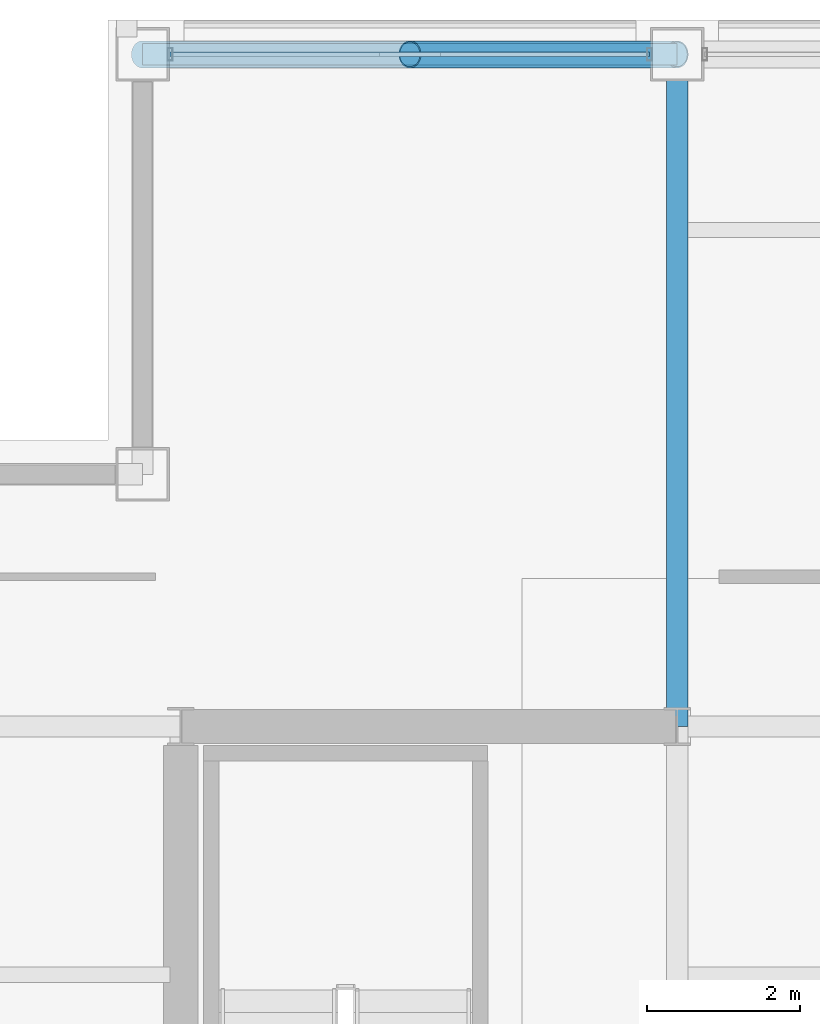
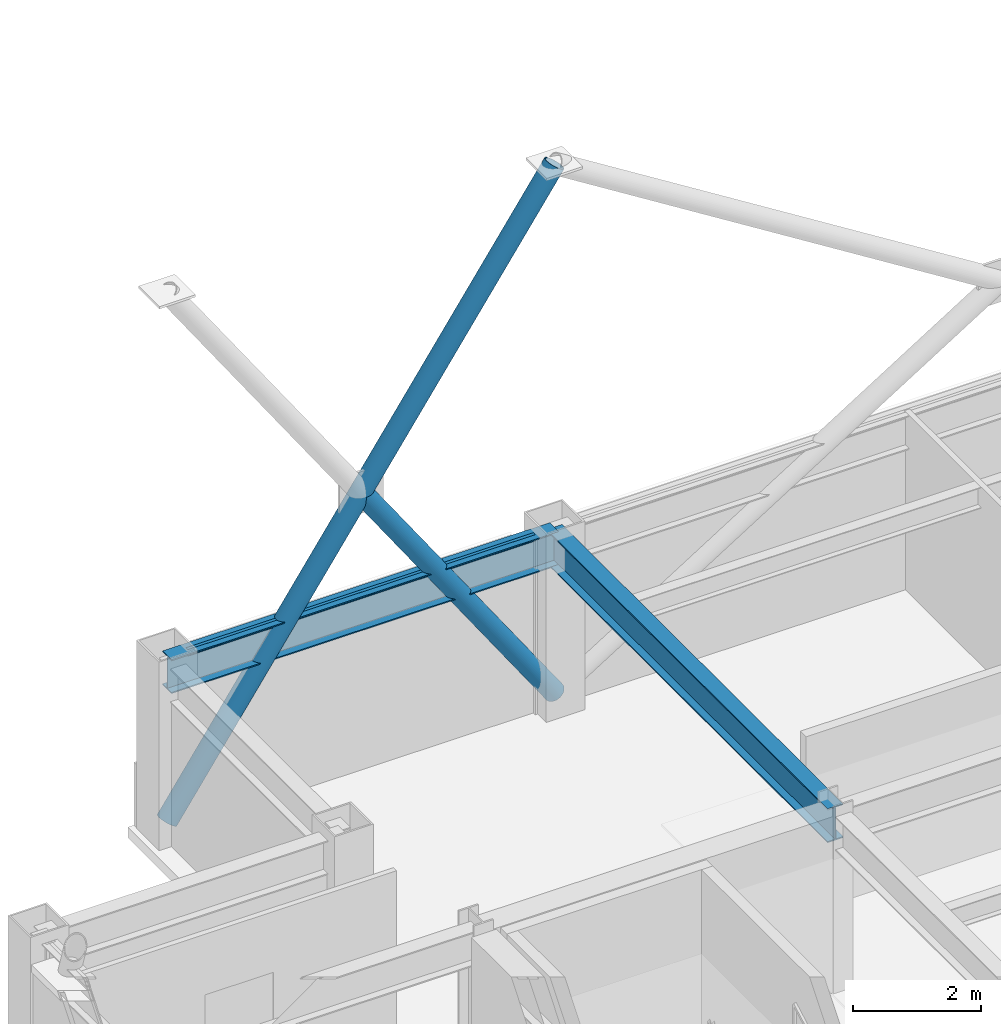
# One storey, part 22 of 33: 3 members, 2 beams, 1 element without a shape of its own.
"""IFC4 building model written with IfcOpenShell, lengths in metres."""

from ifc_helpers import new_model, si_unit, direction, frame, origin, origin_2d, place, context, subcontext, project, spatial, hollow_rectangle, hollow_circle, i_section, extrude, material, layer, layer_set, material_profile, profile_set, type_object, element, aggregate, save


model = new_model("IFC4")

# Units and contexts
model_context = context("Model", 3, precision=1e-05, world=origin(), true_north=direction((0.0, 1.0)))
body_context = subcontext(model_context, "Body", "Model", "MODEL_VIEW")
ifc_project = project(units=[si_unit("LENGTHUNIT", "METRE"), si_unit("AREAUNIT", "SQUARE_METRE"), si_unit("VOLUMEUNIT", "CUBIC_METRE"), si_unit("PLANEANGLEUNIT", "RADIAN"), si_unit("MASSUNIT", "GRAM", prefix="KILO")], contexts=[model_context])

# Site, building, storey
site_placement = place(None, origin())
site = spatial("IfcSite", under=ifc_project, at=site_placement, CompositionType="ELEMENT")
building_placement = place(site_placement, origin())
building = spatial("IfcBuilding", under=site, at=building_placement, Name="Brelmoor Portico Tower", CompositionType="ELEMENT")
storey_placement = place(building_placement, frame((0.0, 0.0, 183.89990234375)))
storey = spatial("IfcBuildingStorey", under=building, at=storey_placement, Name="L48", CompositionType="ELEMENT", Elevation=183.89990234375)

# Beams
ifc_material_1 = material(Name="Steel Q355B", Category="steel")
ifc_material_profile_1 = material_profile(ifc_material_1, i_section(OverallWidth=0.280029296875, OverallDepth=0.64990234375, WebThickness=0.012939453125, FlangeThickness=0.02197265625, at=origin_2d()), Name="HN 650x280x13x22")
ifc_profile_set_1 = profile_set([ifc_material_profile_1], Name="Steel Q355B")
beam_type_1 = type_object("IfcBeamType", Name="BM-PG-650", PredefinedType="BEAM", material=ifc_profile_set_1)
beam_1_placement = place(storey_placement, frame((-8.050048828125, 9.75, 3.0751953125), z_axis=(0.0, 1.0, 0.0), x_axis=(-1.0, 0.0, 0.0)))
element("IfcBeam", 1, at=beam_1_placement, inside=storey, type_object=beam_type_1, Name="L48 Primary Floor Girder PG-05", PredefinedType="BEAM", context=body_context, shape_type="SweptSolid", body=[
    extrude(i_section(OverallWidth=0.280029296875, OverallDepth=0.64990234375, WebThickness=0.012939453125, FlangeThickness=0.02197265625, at=origin_2d()), origin(), (0.0, 0.0, 1.0), 8.800048828125),
])
ifc_material_profile_2 = material_profile(ifc_material_1, i_section(OverallWidth=0.280029296875, OverallDepth=0.64990234375, WebThickness=0.012939453125, FlangeThickness=0.02197265625, at=origin_2d()), Name="HN 650x280x13x22")
ifc_profile_set_2 = profile_set([ifc_material_profile_2], Name="Steel Q355B")
beam_type_2 = type_object("IfcBeamType", Name="BM-SP-650", PredefinedType="SPANDREL", material=ifc_profile_set_2)
beam_2_placement = place(storey_placement, frame((-15.050048828125, 18.550048828125, 3.0751953125), z_axis=(1.0, 0.0, 0.0), x_axis=(0.0, 1.0, 0.0)))
element("IfcBeam", 2, at=beam_2_placement, inside=storey, type_object=beam_type_2, Name="L48 Perimeter Spandrel Beam SP-08", PredefinedType="SPANDREL", context=body_context, shape_type="SweptSolid", body=[
    extrude(i_section(OverallWidth=0.280029296875, OverallDepth=0.64990234375, WebThickness=0.012939453125, FlangeThickness=0.02197265625, at=origin_2d()), origin(), (0.0, 0.0, 1.0), 7.0),
])

# Members
ifc_material_profile_3 = material_profile(ifc_material_1, hollow_circle(Radius=0.177978515625, WallThickness=0.01611328125, at=origin_2d()), Name="CHS 356x16")
ifc_profile_set_3 = profile_set([ifc_material_profile_3], Name="Steel Q355B")
member_type_1 = type_object("IfcMemberType", Name="MB-BELT-DIAG2", PredefinedType="BRACE", material=ifc_profile_set_3)
member_1_placement = place(storey_placement, frame((-15.050048828125, 18.550048828125, 0.25), z_axis=(0.569629338867, 0.0, 0.821901707203), x_axis=(0.0, 1.0, 0.0)))
element("IfcMember", 3, at=member_1_placement, inside=storey, type_object=member_type_1, Name="L48 Continuous Mega-X Brace 108A", PredefinedType="BRACE", context=body_context, shape_type="SweptSolid", body=[
    extrude(hollow_circle(Radius=0.177978515625, WallThickness=0.01611328125, at=origin_2d()), origin(), (0.0, 0.0, 1.0), 12.28857421875),
])
member_2_placement = place(storey_placement, frame((-8.050048828125, 18.550048828125, 0.25), z_axis=(-0.569629338867, 0.0, 0.821901707203), x_axis=(0.0, -1.0, 0.0)))
element("IfcMember", 4, at=member_2_placement, inside=storey, type_object=member_type_1, Name="L48 Split Mega-X Brace 108B1", PredefinedType="BRACE", context=body_context, shape_type="SweptSolid", body=[
    extrude(hollow_circle(Radius=0.177978515625, WallThickness=0.01611328125, at=origin_2d()), origin(), (0.0, 0.0, 1.0), 6.144287109375),
])

# Curtain wall, member
ifc_material_2 = material(Name="Anodised Aluminium Alloy 6063-T6", Category="aluminium")
ifc_layer = layer(ifc_material_2, 0.179931640625)
ifc_layer_set = layer_set([ifc_layer], Name="Anodised Aluminium Alloy 6063-T6")
curtain_wall_type = type_object("IfcCurtainWallType", Name="CW-TOWER-Z3-XB", PredefinedType="NOTDEFINED", material=ifc_layer_set)
curtain_wall_placement = place(storey_placement, origin())
curtain_wall = element("IfcCurtainWall", 5, at=curtain_wall_placement, inside=storey, type_object=curtain_wall_type, Name="L48 Curtain Wall CW-L48-02-1", PredefinedType="NOTDEFINED")
ifc_material_profile_4 = material_profile(ifc_material_2, hollow_rectangle(XDim=0.06005859375, YDim=0.125, WallThickness=0.00341796875, at=origin_2d()), Name="ALU TRANSOM 60x125")
ifc_profile_set_4 = profile_set([ifc_material_profile_4], Name="Anodised Aluminium Alloy 6063-T6")
member_type_2 = type_object("IfcMemberType", Name="MB-CW-TRAN-125", PredefinedType="USERDEFINED", material=ifc_profile_set_4)
member_3_placement = place(storey_placement, frame((-14.68994140625, 18.550048828125, 3.337646484375), z_axis=(1.0, 0.0, 0.0), x_axis=(0.0, 1.0, 0.0)))
member_3 = element("IfcMember", 6, at=member_3_placement, type_object=member_type_2, Name="CW-L48-02-1 Transom 1-00", ObjectType="TRANSOM", PredefinedType="USERDEFINED", context=body_context, shape_type="SweptSolid", body=[
    extrude(hollow_rectangle(XDim=0.06005859375, YDim=0.125, WallThickness=0.00341796875, at=origin_2d()), origin(), (0.0, 0.0, 1.0), 6.280029296875),
])
aggregate(curtain_wall, [member_3])

save(model, "model.ifc")
